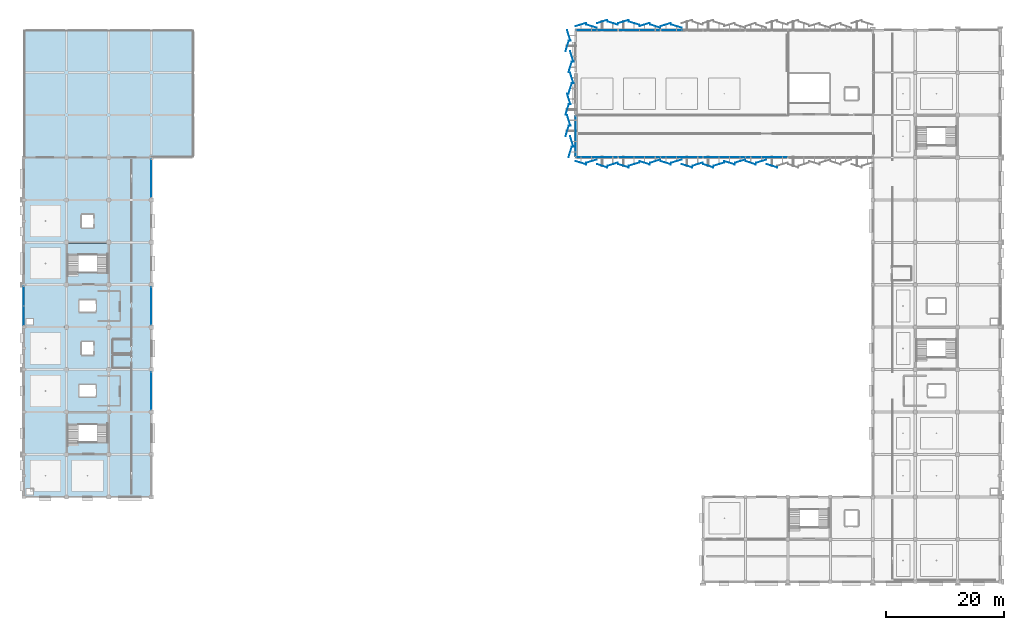
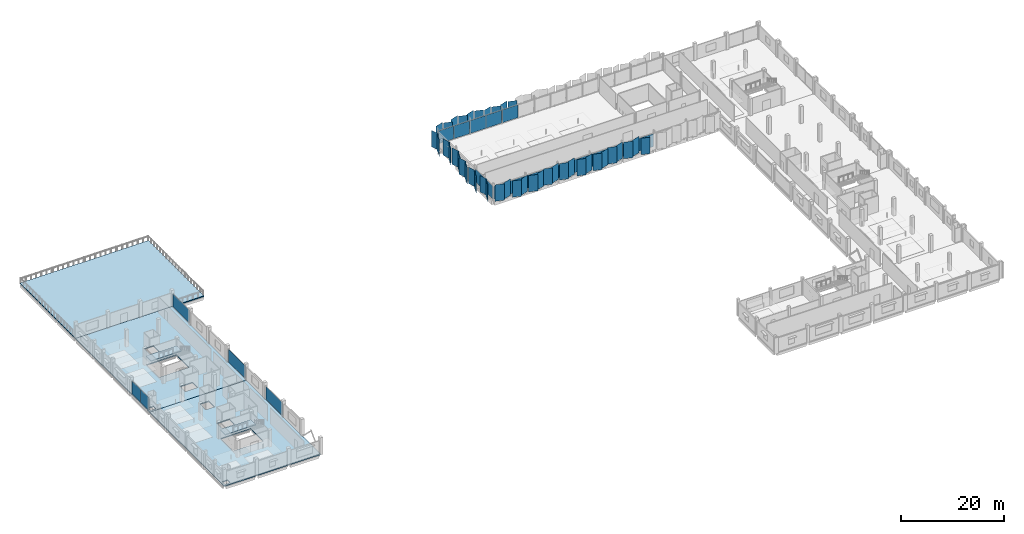
# One storey, part 48 of 77: 57 plates, 5 slabs, 15 elements without a shape of their own.
"""IFC4 building model written with IfcOpenShell, lengths in metres."""

from ifc_helpers import new_model, si_unit, direction, frame, origin, origin_2d, place, context, subcontext, project, spatial, polyline, rectangle, outline, extrude, material, layer, layer_set, type_object, element, aggregate, save


model = new_model("IFC4")

# Units and contexts
model_context = context("Model", 3, precision=1e-05, world=origin(), true_north=direction((0.0, 1.0)))
body_context = subcontext(model_context, "Body", "Model", "MODEL_VIEW")
ifc_project = project(units=[si_unit("LENGTHUNIT", "METRE"), si_unit("AREAUNIT", "SQUARE_METRE"), si_unit("VOLUMEUNIT", "CUBIC_METRE"), si_unit("PLANEANGLEUNIT", "RADIAN"), si_unit("MASSUNIT", "GRAM", prefix="KILO")], contexts=[model_context])

# Site, building, storey
site_placement = place(None, origin())
site = spatial("IfcSite", under=ifc_project, at=site_placement, CompositionType="ELEMENT")
building_placement = place(site_placement, origin())
building = spatial("IfcBuilding", under=site, at=building_placement, Name="Kangsadwip Square Police Headquarters", CompositionType="ELEMENT")
storey_placement = place(building_placement, frame((0.0, 0.0, 17.550048828125)))
storey = spatial("IfcBuildingStorey", under=building, at=storey_placement, Name="L04", CompositionType="ELEMENT", Elevation=17.550048828125)

# Curtain wall, plate
ifc_material_1 = material(Name="Thermally broken anodised aluminium AW-6063-T6", Category="aluminium")
ifc_layer_1 = layer(ifc_material_1, 0.159912109375)
ifc_layer_set_1 = layer_set([ifc_layer_1], Name="Thermally broken anodised aluminium AW-6063-T6")
curtain_wall_type_1 = type_object("IfcCurtainWallType", Name="CourtScreen7180x3300", PredefinedType="USERDEFINED", material=ifc_layer_set_1)
curtain_wall_1_placement = place(storey_placement, origin())
curtain_wall_1 = element("IfcCurtainWall", 1, at=curtain_wall_1_placement, inside=storey, type_object=curtain_wall_type_1, Name="Curtain Wall CW-L04-0936-0936", ObjectType="GLAZED_SCREEN", PredefinedType="USERDEFINED")
ifc_material_2 = material(Name="Double-glazed solar-control low-E safety glass", Category="glass")
ifc_layer_2 = layer(ifc_material_2, 0.02392578125)
ifc_layer_set_2 = layer_set([ifc_layer_2], Name="Double-glazed solar-control low-E safety glass")
plate_type_1 = type_object("IfcPlateType", Name="CwCourtVisionPanel24", PredefinedType="CURTAIN_PANEL", material=ifc_layer_set_2)
plate_1_placement = place(storey_placement, frame((97.199951171875, 93.60009765625, 0.119873046875), z_axis=(0.0, 0.0, 1.0), x_axis=(1.0, 0.0, 0.0)))
plate_1 = element("IfcPlate", 2, at=plate_1_placement, type_object=plate_type_1, Name="CW-42 panel 1.1", PredefinedType="CURTAIN_PANEL", context=body_context, shape_type="SweptSolid", body=[
    extrude(rectangle(XDim=7.06005859375, YDim=0.02392578125, at=origin_2d()), origin(), (0.0, 0.0, 1.0), 3.06005859375),
])
aggregate(curtain_wall_1, [plate_1])

curtain_wall_2_placement = place(storey_placement, origin())
curtain_wall_2 = element("IfcCurtainWall", 3, at=curtain_wall_2_placement, inside=storey, type_object=curtain_wall_type_1, Name="Curtain Wall CW-L04-1008-0936", ObjectType="GLAZED_SCREEN", PredefinedType="USERDEFINED")
plate_2_placement = place(storey_placement, frame((104.39990234375, 93.60009765625, 0.119873046875), z_axis=(0.0, 0.0, 1.0), x_axis=(1.0, 0.0, 0.0)))
plate_2 = element("IfcPlate", 4, at=plate_2_placement, type_object=plate_type_1, Name="CW-42 panel 1.1", PredefinedType="CURTAIN_PANEL", context=body_context, shape_type="SweptSolid", body=[
    extrude(rectangle(XDim=7.06005859375, YDim=0.02392578125, at=origin_2d()), origin(), (0.0, 0.0, 1.0), 3.06005859375),
])
aggregate(curtain_wall_2, [plate_2])

curtain_wall_3_placement = place(storey_placement, origin())
curtain_wall_3 = element("IfcCurtainWall", 5, at=curtain_wall_3_placement, inside=storey, type_object=curtain_wall_type_1, Name="Curtain Wall CW-L04-1080-0936", ObjectType="GLAZED_SCREEN", PredefinedType="USERDEFINED")
plate_3_placement = place(storey_placement, frame((111.60009765625, 93.60009765625, 0.119873046875), z_axis=(0.0, 0.0, 1.0), x_axis=(1.0, 0.0, 0.0)))
plate_3 = element("IfcPlate", 6, at=plate_3_placement, type_object=plate_type_1, Name="CW-42 panel 1.1", PredefinedType="CURTAIN_PANEL", context=body_context, shape_type="SweptSolid", body=[
    extrude(rectangle(XDim=7.06005859375, YDim=0.02392578125, at=origin_2d()), origin(), (0.0, 0.0, 1.0), 3.06005859375),
])
aggregate(curtain_wall_3, [plate_3])

curtain_wall_4_placement = place(storey_placement, origin())
curtain_wall_4 = element("IfcCurtainWall", 7, at=curtain_wall_4_placement, inside=storey, type_object=curtain_wall_type_1, Name="Curtain Wall CW-L04-1152-0936", ObjectType="GLAZED_SCREEN", PredefinedType="USERDEFINED")
plate_4_placement = place(storey_placement, frame((118.800048828125, 93.60009765625, 0.119873046875), z_axis=(0.0, 0.0, 1.0), x_axis=(1.0, 0.0, 0.0)))
plate_4 = element("IfcPlate", 8, at=plate_4_placement, type_object=plate_type_1, Name="CW-42 panel 1.1", PredefinedType="CURTAIN_PANEL", context=body_context, shape_type="SweptSolid", body=[
    extrude(rectangle(XDim=7.06005859375, YDim=0.02392578125, at=origin_2d()), origin(), (0.0, 0.0, 1.0), 3.06005859375),
])
aggregate(curtain_wall_4, [plate_4])

curtain_wall_5_placement = place(storey_placement, origin())
curtain_wall_5 = element("IfcCurtainWall", 9, at=curtain_wall_5_placement, inside=storey, type_object=curtain_wall_type_1, Name="Curtain Wall CW-L04-1224-0936", ObjectType="GLAZED_SCREEN", PredefinedType="USERDEFINED")
plate_5_placement = place(storey_placement, frame((126.0, 93.60009765625, 0.119873046875), z_axis=(0.0, 0.0, 1.0), x_axis=(1.0, 0.0, 0.0)))
plate_5 = element("IfcPlate", 10, at=plate_5_placement, type_object=plate_type_1, Name="CW-42 panel 1.1", PredefinedType="CURTAIN_PANEL", context=body_context, shape_type="SweptSolid", body=[
    extrude(rectangle(XDim=7.06005859375, YDim=0.02392578125, at=origin_2d()), origin(), (0.0, 0.0, 1.0), 3.06005859375),
])
aggregate(curtain_wall_5, [plate_5])

ifc_material_3 = material(Name="Thermally broken anodised aluminium AW-6063-T6", Category="aluminium")
ifc_layer_3 = layer(ifc_material_3, 0.159912109375)
ifc_layer_set_3 = layer_set([ifc_layer_3], Name="Thermally broken anodised aluminium AW-6063-T6")
curtain_wall_type_2 = type_object("IfcCurtainWallType", Name="CourtScreen6510x3300", PredefinedType="USERDEFINED", material=ifc_layer_set_3)
curtain_wall_6_placement = place(storey_placement, origin())
curtain_wall_6 = element("IfcCurtainWall", 11, at=curtain_wall_6_placement, inside=storey, type_object=curtain_wall_type_2, Name="Curtain Wall CW-L04-0216-0507", ObjectType="GLAZED_SCREEN", PredefinedType="USERDEFINED")
plate_6_placement = place(storey_placement, frame((21.60009765625, 54.0, 0.119873046875), z_axis=(0.0, 0.0, 1.0), x_axis=(0.0, 1.0, 0.0)))
plate_6 = element("IfcPlate", 12, at=plate_6_placement, type_object=plate_type_1, Name="CW-46 panel 1.1", PredefinedType="CURTAIN_PANEL", context=body_context, shape_type="SweptSolid", body=[
    extrude(rectangle(XDim=6.389892578125, YDim=0.02392578125, at=origin_2d()), origin(), (0.0, 0.0, 1.0), 3.06005859375),
])
aggregate(curtain_wall_6, [plate_6])

curtain_wall_7_placement = place(storey_placement, origin())
curtain_wall_7 = element("IfcCurtainWall", 13, at=curtain_wall_7_placement, inside=storey, type_object=curtain_wall_type_2, Name="Curtain Wall CW-L04-0216-0651", ObjectType="GLAZED_SCREEN", PredefinedType="USERDEFINED")
plate_7_placement = place(storey_placement, frame((21.60009765625, 68.39990234375, 0.119873046875), z_axis=(0.0, 0.0, 1.0), x_axis=(0.0, 1.0, 0.0)))
plate_7 = element("IfcPlate", 14, at=plate_7_placement, type_object=plate_type_1, Name="CW-46 panel 1.1", PredefinedType="CURTAIN_PANEL", context=body_context, shape_type="SweptSolid", body=[
    extrude(rectangle(XDim=6.389892578125, YDim=0.02392578125, at=origin_2d()), origin(), (0.0, 0.0, 1.0), 3.06005859375),
])
aggregate(curtain_wall_7, [plate_7])

curtain_wall_8_placement = place(storey_placement, origin())
curtain_wall_8 = element("IfcCurtainWall", 15, at=curtain_wall_8_placement, inside=storey, type_object=curtain_wall_type_2, Name="Curtain Wall CW-L04-0216-0867", ObjectType="GLAZED_SCREEN", PredefinedType="USERDEFINED")
plate_8_placement = place(storey_placement, frame((21.60009765625, 90.0, 0.119873046875), z_axis=(0.0, 0.0, 1.0), x_axis=(0.0, 1.0, 0.0)))
plate_8 = element("IfcPlate", 16, at=plate_8_placement, type_object=plate_type_1, Name="CW-46 panel 1.1", PredefinedType="CURTAIN_PANEL", context=body_context, shape_type="SweptSolid", body=[
    extrude(rectangle(XDim=6.389892578125, YDim=0.02392578125, at=origin_2d()), origin(), (0.0, 0.0, 1.0), 3.06005859375),
])
aggregate(curtain_wall_8, [plate_8])

ifc_material_4 = material(Name="Thermally broken anodised aluminium AW-6063-T6", Category="aluminium")
ifc_layer_4 = layer(ifc_material_4, 0.159912109375)
ifc_layer_set_4 = layer_set([ifc_layer_4], Name="Thermally broken anodised aluminium AW-6063-T6")
curtain_wall_type_3 = type_object("IfcCurtainWallType", Name="CourtScreen6894x3300", PredefinedType="USERDEFINED", material=ifc_layer_set_4)
curtain_wall_9_placement = place(storey_placement, origin())
curtain_wall_9 = element("IfcCurtainWall", 17, at=curtain_wall_9_placement, inside=storey, type_object=curtain_wall_type_3, Name="Curtain Wall CW-L04-0936-0938", ObjectType="GLAZED_SCREEN", PredefinedType="USERDEFINED")
plate_9_placement = place(storey_placement, frame((93.60009765625, 97.199951171875, 0.119873046875), z_axis=(0.0, 0.0, 1.0), x_axis=(0.0, 1.0, 0.0)))
plate_9 = element("IfcPlate", 18, at=plate_9_placement, type_object=plate_type_1, Name="CW-47 panel 1.1", PredefinedType="CURTAIN_PANEL", context=body_context, shape_type="SweptSolid", body=[
    extrude(rectangle(XDim=6.77392578125, YDim=0.02392578125, at=origin_2d()), origin(), (0.0, 0.0, 1.0), 3.06005859375),
])
aggregate(curtain_wall_9, [plate_9])

# Curtain wall, plates
ifc_material_5 = material(Name="Thermally broken anodised aluminium AW-6063-T6", Category="aluminium")
ifc_layer_5 = layer(ifc_material_5, 0.159912109375)
ifc_layer_set_5 = layer_set([ifc_layer_5], Name="Thermally broken anodised aluminium AW-6063-T6")
curtain_wall_type_4 = type_object("IfcCurtainWallType", Name="UnitisedCw7180x3300", PredefinedType="NOTDEFINED", material=ifc_layer_set_5)
curtain_wall_10_placement = place(storey_placement, origin())
curtain_wall_10 = element("IfcCurtainWall", 19, at=curtain_wall_10_placement, inside=storey, type_object=curtain_wall_type_4, Name="Curtain Wall CW-L04-0936-1152", PredefinedType="NOTDEFINED")
ifc_material_6 = material(Name="Double-glazed solar-control low-E safety glass", Category="glass")
ifc_layer_6 = layer(ifc_material_6, 0.028076171875)
ifc_layer_set_6 = layer_set([ifc_layer_6], Name="Double-glazed solar-control low-E safety glass")
plate_type_2 = type_object("IfcPlateType", Name="CwSolarVisionPanel28", PredefinedType="CURTAIN_PANEL", material=ifc_layer_set_6)
plate_10_placement = place(storey_placement, frame((95.421142578125, 115.199951171875, 0.1298828125), z_axis=(0.0, 0.0, 1.0), x_axis=(1.0, 0.0, 0.0)))
plate_10 = element("IfcPlate", 20, at=plate_10_placement, type_object=plate_type_2, Name="CW-43 panel 1.1", PredefinedType="CURTAIN_PANEL", context=body_context, shape_type="SweptSolid", body=[
    extrude(rectangle(XDim=3.492431640625, YDim=0.028076171875, at=origin_2d()), origin(), (0.0, 0.0, 1.0), 3.0400390625),
])
plate_11_placement = place(storey_placement, frame((98.978759765625, 115.199951171875, 0.1298828125), z_axis=(0.0, 0.0, 1.0), x_axis=(1.0, 0.0, 0.0)))
plate_11 = element("IfcPlate", 21, at=plate_11_placement, type_object=plate_type_2, Name="CW-43 panel 2.1", PredefinedType="CURTAIN_PANEL", context=body_context, shape_type="SweptSolid", body=[
    extrude(rectangle(XDim=3.492431640625, YDim=0.028076171875, at=origin_2d()), origin(), (0.0, 0.0, 1.0), 3.0400390625),
])
aggregate(curtain_wall_10, [plate_10, plate_11])

curtain_wall_11_placement = place(storey_placement, origin())
curtain_wall_11 = element("IfcCurtainWall", 22, at=curtain_wall_11_placement, inside=storey, type_object=curtain_wall_type_4, Name="Curtain Wall CW-L04-1008-1152", PredefinedType="NOTDEFINED")
plate_12_placement = place(storey_placement, frame((102.621337890625, 115.199951171875, 0.1298828125), z_axis=(0.0, 0.0, 1.0), x_axis=(1.0, 0.0, 0.0)))
plate_12 = element("IfcPlate", 23, at=plate_12_placement, type_object=plate_type_2, Name="CW-43 panel 1.1", PredefinedType="CURTAIN_PANEL", context=body_context, shape_type="SweptSolid", body=[
    extrude(rectangle(XDim=3.492431640625, YDim=0.028076171875, at=origin_2d()), origin(), (0.0, 0.0, 1.0), 3.0400390625),
])
plate_13_placement = place(storey_placement, frame((106.1787109375, 115.199951171875, 0.1298828125), z_axis=(0.0, 0.0, 1.0), x_axis=(1.0, 0.0, 0.0)))
plate_13 = element("IfcPlate", 24, at=plate_13_placement, type_object=plate_type_2, Name="CW-43 panel 2.1", PredefinedType="CURTAIN_PANEL", context=body_context, shape_type="SweptSolid", body=[
    extrude(rectangle(XDim=3.492431640625, YDim=0.028076171875, at=origin_2d()), origin(), (0.0, 0.0, 1.0), 3.0400390625),
])
aggregate(curtain_wall_11, [plate_12, plate_13])

# Curtain wall, plate
curtain_wall_12_placement = place(storey_placement, origin())
curtain_wall_12 = element("IfcCurtainWall", 25, at=curtain_wall_12_placement, inside=storey, type_object=curtain_wall_type_4, Name="Curtain Wall CW-L04-1080-1152", PredefinedType="NOTDEFINED")
plate_14_placement = place(storey_placement, frame((109.8212890625, 115.199951171875, 0.1298828125), z_axis=(0.0, 0.0, 1.0), x_axis=(1.0, 0.0, 0.0)))
plate_14 = element("IfcPlate", 26, at=plate_14_placement, type_object=plate_type_2, Name="CW-43 panel 1.1", PredefinedType="CURTAIN_PANEL", context=body_context, shape_type="SweptSolid", body=[
    extrude(rectangle(XDim=3.492431640625, YDim=0.028076171875, at=origin_2d()), origin(), (0.0, 0.0, 1.0), 3.0400390625),
])
aggregate(curtain_wall_12, [plate_14])

# Curtain wall, plates
ifc_material_7 = material(Name="Thermally broken anodised aluminium AW-6063-T6", Category="aluminium")
ifc_layer_7 = layer(ifc_material_7, 0.159912109375)
ifc_layer_set_7 = layer_set([ifc_layer_7], Name="Thermally broken anodised aluminium AW-6063-T6")
curtain_wall_type_5 = type_object("IfcCurtainWallType", Name="UnitisedCw6710x3300", PredefinedType="NOTDEFINED", material=ifc_layer_set_7)
curtain_wall_13_placement = place(storey_placement, origin())
curtain_wall_13 = element("IfcCurtainWall", 27, at=curtain_wall_13_placement, inside=storey, type_object=curtain_wall_type_5, Name="Curtain Wall CW-L04-0000-0650", PredefinedType="NOTDEFINED")
plate_15_placement = place(storey_placement, frame((0.0, 66.73876953125, 0.1298828125), z_axis=(0.0, 0.0, 1.0), x_axis=(0.0, 1.0, 0.0)))
plate_15 = element("IfcPlate", 28, at=plate_15_placement, type_object=plate_type_2, Name="CW-45 panel 1.1", PredefinedType="CURTAIN_PANEL", context=body_context, shape_type="SweptSolid", body=[
    extrude(rectangle(XDim=3.257568359375, YDim=0.028076171875, at=origin_2d()), origin(), (0.0, 0.0, 1.0), 3.0400390625),
])
plate_16_placement = place(storey_placement, frame((0.0, 70.061279296875, 0.1298828125), z_axis=(0.0, 0.0, 1.0), x_axis=(0.0, 1.0, 0.0)))
plate_16 = element("IfcPlate", 29, at=plate_16_placement, type_object=plate_type_2, Name="CW-45 panel 2.1", PredefinedType="CURTAIN_PANEL", context=body_context, shape_type="SweptSolid", body=[
    extrude(rectangle(XDim=3.257568359375, YDim=0.028076171875, at=origin_2d()), origin(), (0.0, 0.0, 1.0), 3.0400390625),
])
aggregate(curtain_wall_13, [plate_15, plate_16])

# Slabs
ifc_material_8 = material(Name="Concrete M35 (35 MPa)", Category="concrete")
ifc_layer_8 = layer(ifc_material_8, 0.239990234375)
ifc_layer_set_8 = layer_set([ifc_layer_8], Name="Concrete M35 (35 MPa)")
slab_type_1 = type_object("IfcSlabType", Name="MainFloorSlab240", PredefinedType="FLOOR", material=ifc_layer_set_8)
slab_1_placement = place(storey_placement, frame((0.0, 0.0, -0.239990234375)))
element("IfcSlab", 30, at=slab_1_placement, inside=storey, type_object=slab_type_1, Name="L04 Vol5S Slab SL-L04-049", PredefinedType="FLOOR", context=body_context, shape_type="SweptSolid", body=[
    extrude(outline(polyline([(0.0, 36.0), (0.0, 64.800048828125), (21.60009765625, 64.800048828125), (21.60009765625, 36.0), (0.0, 36.0)]), holes=[polyline([(1.60009765625, 37.39990234375), (0.39990234375, 37.39990234375), (0.39990234375, 36.39990234375), (1.60009765625, 36.39990234375), (1.60009765625, 37.39990234375)]), polyline([(14.179931640625, 45.280029296875), (14.179931640625, 50.179931640625), (7.419921875, 50.179931640625), (7.419921875, 45.280029296875), (14.179931640625, 45.280029296875)]), polyline([(12.199951171875, 55.0), (9.39990234375, 55.0), (9.39990234375, 53.0), (12.199951171875, 53.0), (12.199951171875, 55.0)]), polyline([(11.800048828125, 62.300048828125), (9.800048828125, 62.300048828125), (9.800048828125, 60.10009765625), (11.800048828125, 60.10009765625), (11.800048828125, 62.300048828125)])]), origin(), (0.0, 0.0, 1.0), 0.239990234375),
])
slab_2_placement = place(storey_placement, frame((0.0, 0.0, -0.239990234375)))
element("IfcSlab", 31, at=slab_2_placement, inside=storey, type_object=slab_type_1, Name="L04 Vol5N Slab SL-L04-050", PredefinedType="FLOOR", context=body_context, shape_type="SweptSolid", body=[
    extrude(outline(polyline([(0.0, 64.800048828125), (0.0, 93.60009765625), (21.60009765625, 93.60009765625), (21.60009765625, 64.800048828125), (0.0, 64.800048828125)]), holes=[polyline([(1.60009765625, 66.199951171875), (0.39990234375, 66.199951171875), (0.39990234375, 65.199951171875), (1.60009765625, 65.199951171875), (1.60009765625, 66.199951171875)]), polyline([(12.199951171875, 69.39990234375), (9.39990234375, 69.39990234375), (9.39990234375, 67.39990234375), (12.199951171875, 67.39990234375), (12.199951171875, 69.39990234375)]), polyline([(7.419921875, 74.080078125), (14.179931640625, 74.080078125), (14.179931640625, 78.97998046875), (7.419921875, 78.97998046875), (7.419921875, 74.080078125)]), polyline([(11.800048828125, 81.699951171875), (11.800048828125, 83.89990234375), (9.800048828125, 83.89990234375), (9.800048828125, 81.699951171875), (11.800048828125, 81.699951171875)])]), origin(), (0.0, 0.0, 1.0), 0.239990234375),
])

# Plates
ifc_material_9 = material(Name="PVDF-coated perforated marine-grade aluminium AW-5052-H32", Category="aluminium")
ifc_layer_9 = layer(ifc_material_9, 0.006103515625)
ifc_layer_set_9 = layer_set([ifc_layer_9], Name="PVDF-coated perforated marine-grade aluminium AW-5052-H32")
plate_type_3 = type_object("IfcPlateType", Name="PleatedVeilFacet1", PredefinedType="USERDEFINED", material=ifc_layer_set_9)
for number, where, z_axis, x_axis, name in (
    (32, (94.5, 116.12548828125, 0.070068359375), (0.0, 0.0, 1.0), (0.953716950748, 0.300705799504, 0.0), "Pleated Perforated Veil Facet PVF-L04-0141"),
    (33, (96.300048828125, 115.845458984375, 0.070068359375), (0.0, 0.0, 1.0), (0.953716950748, -0.300705799504, 0.0), "Pleated Perforated Veil Facet PVF-L04-0142"),
    (34, (98.10009765625, 116.634521484375, 0.070068359375), (0.0, 0.0, 1.0), (0.953716950748, 0.300705799504, 0.0), "Pleated Perforated Veil Facet PVF-L04-0143"),
    (35, (99.89990234375, 116.3544921875, 0.070068359375), (0.0, 0.0, 1.0), (0.953716950748, -0.300705799504, 0.0), "Pleated Perforated Veil Facet PVF-L04-0144"),
    (36, (101.699951171875, 116.634521484375, 0.070068359375), (0.0, 0.0, 1.0), (0.953716950748, 0.300705799504, 0.0), "Pleated Perforated Veil Facet PVF-L04-0145"),
    (37, (103.5, 116.3544921875, 0.070068359375), (0.0, 0.0, 1.0), (0.953716950748, -0.300705799504, 0.0), "Pleated Perforated Veil Facet PVF-L04-0146"),
    (38, (105.300048828125, 116.12548828125, 0.070068359375), (0.0, 0.0, 1.0), (0.953716950748, 0.300705799504, 0.0), "Pleated Perforated Veil Facet PVF-L04-0147"),
    (39, (107.10009765625, 115.845458984375, 0.070068359375), (0.0, 0.0, 1.0), (0.953716950748, -0.300705799504, 0.0), "Pleated Perforated Veil Facet PVF-L04-0148"),
    (40, (108.89990234375, 116.12548828125, 0.070068359375), (0.0, 0.0, 1.0), (0.953716950748, 0.300705799504, 0.0), "Pleated Perforated Veil Facet PVF-L04-0149"),
    (41, (110.699951171875, 115.845458984375, 0.070068359375), (0.0, 0.0, 1.0), (0.953716950748, -0.300705799504, 0.0), "Pleated Perforated Veil Facet PVF-L04-0150"),
    (42, (94.5, 92.674560546875, 0.070068359375), (0.0, 0.0, 1.0), (0.953716950748, -0.300705799504, 0.0), "Pleated Perforated Veil Facet PVF-L04-0337"),
    (43, (96.300048828125, 92.95458984375, 0.070068359375), (0.0, 0.0, 1.0), (0.953716950748, 0.300705799504, 0.0), "Pleated Perforated Veil Facet PVF-L04-0338"),
    (44, (98.10009765625, 92.165283203125, 0.070068359375), (0.0, 0.0, 1.0), (0.953716950748, -0.300705799504, 0.0), "Pleated Perforated Veil Facet PVF-L04-0339"),
    (45, (99.89990234375, 92.4453125, 0.070068359375), (0.0, 0.0, 1.0), (0.953716950748, 0.300705799504, 0.0), "Pleated Perforated Veil Facet PVF-L04-0340"),
    (46, (101.699951171875, 92.165283203125, 0.070068359375), (0.0, 0.0, 1.0), (0.953716950748, -0.300705799504, 0.0), "Pleated Perforated Veil Facet PVF-L04-0341"),
    (47, (103.5, 92.4453125, 0.070068359375), (0.0, 0.0, 1.0), (0.953716950748, 0.300705799504, 0.0), "Pleated Perforated Veil Facet PVF-L04-0342"),
    (48, (105.300048828125, 92.674560546875, 0.070068359375), (0.0, 0.0, 1.0), (0.953716950748, -0.300705799504, 0.0), "Pleated Perforated Veil Facet PVF-L04-0343"),
    (49, (107.10009765625, 92.95458984375, 0.070068359375), (0.0, 0.0, 1.0), (0.953716950748, 0.300705799504, 0.0), "Pleated Perforated Veil Facet PVF-L04-0344"),
    (50, (108.89990234375, 92.674560546875, 0.070068359375), (0.0, 0.0, 1.0), (0.953716950748, -0.300705799504, 0.0), "Pleated Perforated Veil Facet PVF-L04-0345"),
    (51, (110.699951171875, 92.95458984375, 0.070068359375), (0.0, 0.0, 1.0), (0.953716950748, 0.300705799504, 0.0), "Pleated Perforated Veil Facet PVF-L04-0346"),
    (52, (112.5, 92.165283203125, 0.070068359375), (0.0, 0.0, 1.0), (0.953716950748, -0.300705799504, 0.0), "Pleated Perforated Veil Facet PVF-L04-0347"),
    (53, (114.300048828125, 92.4453125, 0.070068359375), (0.0, 0.0, 1.0), (0.953716950748, 0.300705799504, 0.0), "Pleated Perforated Veil Facet PVF-L04-0348"),
    (54, (116.10009765625, 92.165283203125, 0.070068359375), (0.0, 0.0, 1.0), (0.953716950748, -0.300705799504, 0.0), "Pleated Perforated Veil Facet PVF-L04-0349"),
    (55, (117.89990234375, 92.4453125, 0.070068359375), (0.0, 0.0, 1.0), (0.953716950748, 0.300705799504, 0.0), "Pleated Perforated Veil Facet PVF-L04-0350"),
    (56, (119.699951171875, 92.674560546875, 0.070068359375), (0.0, 0.0, 1.0), (0.953716950748, -0.300705799504, 0.0), "Pleated Perforated Veil Facet PVF-L04-0351"),
    (57, (121.5, 92.95458984375, 0.070068359375), (0.0, 0.0, 1.0), (0.953716950748, 0.300705799504, 0.0), "Pleated Perforated Veil Facet PVF-L04-0352"),
    (58, (123.300048828125, 92.674560546875, 0.070068359375), (0.0, 0.0, 1.0), (0.953716950748, -0.300705799504, 0.0), "Pleated Perforated Veil Facet PVF-L04-0353"),
    (59, (125.10009765625, 92.95458984375, 0.070068359375), (0.0, 0.0, 1.0), (0.953716950748, 0.300705799504, 0.0), "Pleated Perforated Veil Facet PVF-L04-0354"),
    (60, (126.89990234375, 92.165283203125, 0.070068359375), (0.0, 0.0, 1.0), (0.953716950748, -0.300705799504, 0.0), "Pleated Perforated Veil Facet PVF-L04-0355"),
):
    element("IfcPlate", number, at=place(storey_placement, frame(where, z_axis=z_axis, x_axis=x_axis)), inside=storey, type_object=plate_type_3, Name=name, ObjectType="VEIL_FACET", PredefinedType="USERDEFINED", context=body_context, shape_type="SweptSolid", body=[
        extrude(rectangle(XDim=1.820068359375, YDim=0.006103515625, at=origin_2d()), origin(), (0.0, 0.0, 1.0), 3.89990234375),
    ])
ifc_material_10 = material(Name="PVDF-coated perforated marine-grade aluminium AW-5052-H32", Category="aluminium")
ifc_layer_10 = layer(ifc_material_10, 0.006103515625)
ifc_layer_set_10 = layer_set([ifc_layer_10], Name="PVDF-coated perforated marine-grade aluminium AW-5052-H32")
plate_type_4 = type_object("IfcPlateType", Name="PleatedVeilFacet2", PredefinedType="USERDEFINED", material=ifc_layer_set_10)
for number, where, z_axis, x_axis, name in (
    (61, (92.674560546875, 94.5, 0.070068359375), (0.0, 0.0, 1.0), (0.300705799504, 0.953716950748, 0.0), "Pleated Perforated Veil Facet PVF-L04-0393"),
    (62, (92.95458984375, 96.300048828125, 0.070068359375), (0.0, 0.0, 1.0), (-0.300705799504, 0.953716950748, 0.0), "Pleated Perforated Veil Facet PVF-L04-0394"),
    (63, (92.165283203125, 98.10009765625, 0.070068359375), (0.0, 0.0, 1.0), (0.300705799504, 0.953716950748, 0.0), "Pleated Perforated Veil Facet PVF-L04-0395"),
    (64, (92.4453125, 99.89990234375, 0.070068359375), (0.0, 0.0, 1.0), (-0.300705799504, 0.953716950748, 0.0), "Pleated Perforated Veil Facet PVF-L04-0396"),
    (65, (92.165283203125, 101.699951171875, 0.070068359375), (0.0, 0.0, 1.0), (0.300705799504, 0.953716950748, 0.0), "Pleated Perforated Veil Facet PVF-L04-0397"),
    (66, (92.4453125, 103.5, 0.070068359375), (0.0, 0.0, 1.0), (-0.300705799504, 0.953716950748, 0.0), "Pleated Perforated Veil Facet PVF-L04-0398"),
    (67, (92.674560546875, 105.300048828125, 0.070068359375), (0.0, 0.0, 1.0), (0.300705799504, 0.953716950748, 0.0), "Pleated Perforated Veil Facet PVF-L04-0399"),
    (68, (92.95458984375, 107.10009765625, 0.070068359375), (0.0, 0.0, 1.0), (-0.300705799504, 0.953716950748, 0.0), "Pleated Perforated Veil Facet PVF-L04-0400"),
    (69, (92.674560546875, 108.89990234375, 0.070068359375), (0.0, 0.0, 1.0), (0.300705799504, 0.953716950748, 0.0), "Pleated Perforated Veil Facet PVF-L04-0401"),
    (70, (92.95458984375, 110.699951171875, 0.070068359375), (0.0, 0.0, 1.0), (-0.300705799504, 0.953716950748, 0.0), "Pleated Perforated Veil Facet PVF-L04-0402"),
    (71, (92.165283203125, 112.5, 0.070068359375), (0.0, 0.0, 1.0), (0.300705799504, 0.953716950748, 0.0), "Pleated Perforated Veil Facet PVF-L04-0403"),
    (72, (92.4453125, 114.300048828125, 0.070068359375), (0.0, 0.0, 1.0), (-0.300705799504, 0.953716950748, 0.0), "Pleated Perforated Veil Facet PVF-L04-0404"),
):
    element("IfcPlate", number, at=place(storey_placement, frame(where, z_axis=z_axis, x_axis=x_axis)), inside=storey, type_object=plate_type_4, Name=name, ObjectType="VEIL_FACET", PredefinedType="USERDEFINED", context=body_context, shape_type="SweptSolid", body=[
        extrude(rectangle(XDim=1.860107421875, YDim=0.006103515625, at=origin_2d()), origin(), (0.0, 0.0, 1.0), 3.89990234375),
    ])

# Stair, slab
ifc_material_11 = material(Name="Concrete M35 (35 MPa)", Category="concrete")
stair_type = type_object("IfcStairType", Name="Stair2FlightTypW1850", PredefinedType="HALF_TURN_STAIR", material=ifc_material_11)
stair_1_placement = place(storey_placement, origin())
stair_1 = element("IfcStair", 73, at=stair_1_placement, inside=storey, type_object=stair_type, Name="Protected Stair ST-01 L04", PredefinedType="HALF_TURN_STAIR")
ifc_material_12 = material(Name="Concrete M35 (35 MPa)", Category="concrete")
ifc_layer_11 = layer(ifc_material_12, 0.199951171875)
ifc_layer_set_11 = layer_set([ifc_layer_11], Name="Concrete M35 (35 MPa)")
slab_type_2 = type_object("IfcSlabType", Name="StairLandingSlab200", PredefinedType="LANDING", material=ifc_layer_set_11)
slab_3_placement = place(storey_placement, frame((0.0, 0.0, 1.906005859375)))
slab_3 = element("IfcSlab", 74, at=slab_3_placement, type_object=slab_type_2, Name="ST-01 landing 1", PredefinedType="LANDING", context=body_context, shape_type="SweptSolid", body=[
    extrude(outline(polyline([(7.3701171875, 48.280029296875), (14.22998046875, 48.280029296875), (14.22998046875, 50.22998046875), (7.3701171875, 50.22998046875), (7.3701171875, 48.280029296875)])), origin(), (0.0, 0.0, 1.0), 0.199951171875),
])
aggregate(stair_1, [slab_3])

stair_2_placement = place(storey_placement, origin())
stair_2 = element("IfcStair", 75, at=stair_2_placement, inside=storey, type_object=stair_type, Name="Protected Stair ST-02 L04", PredefinedType="HALF_TURN_STAIR")
slab_4_placement = place(storey_placement, frame((0.0, 0.0, 1.906005859375)))
slab_4 = element("IfcSlab", 76, at=slab_4_placement, type_object=slab_type_2, Name="ST-02 landing 1", PredefinedType="LANDING", context=body_context, shape_type="SweptSolid", body=[
    extrude(outline(polyline([(7.3701171875, 77.080078125), (14.22998046875, 77.080078125), (14.22998046875, 79.030029296875), (7.3701171875, 79.030029296875), (7.3701171875, 77.080078125)])), origin(), (0.0, 0.0, 1.0), 0.199951171875),
])
aggregate(stair_2, [slab_4])

# Slab
ifc_material_13 = material(Name="Concrete M35 (35 MPa)", Category="concrete")
ifc_layer_12 = layer(ifc_material_13, 0.22509765625)
ifc_layer_set_12 = layer_set([ifc_layer_12], Name="Concrete M35 (35 MPa)")
slab_type_3 = type_object("IfcSlabType", Name="TerraceGardenSlab200", PredefinedType="USERDEFINED", material=ifc_layer_set_12)
slab_5_placement = place(storey_placement, frame((0.0, 0.0, -0.22509765625)))
element("IfcSlab", 77, at=slab_5_placement, inside=storey, type_object=slab_type_3, Name="Community Wing Planted Roof Terrace SL-L04-070", ObjectType="TERRACE_SLAB", PredefinedType="USERDEFINED", context=body_context, shape_type="SweptSolid", body=[
    extrude(outline(polyline([(0.0, 93.60009765625), (0.0, 115.199951171875), (28.800048828125, 115.199951171875), (28.800048828125, 93.60009765625), (0.0, 93.60009765625)])), origin(), (0.0, 0.0, 1.0), 0.22509765625),
])

save(model, "model.ifc")
